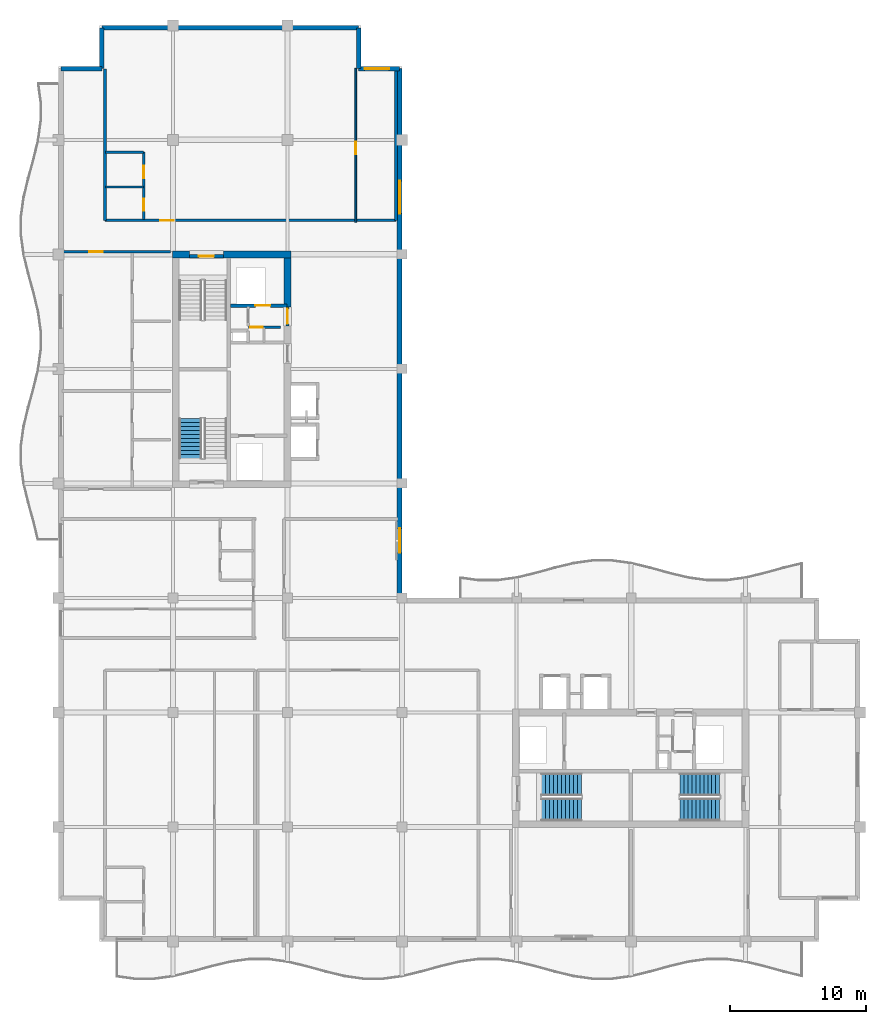
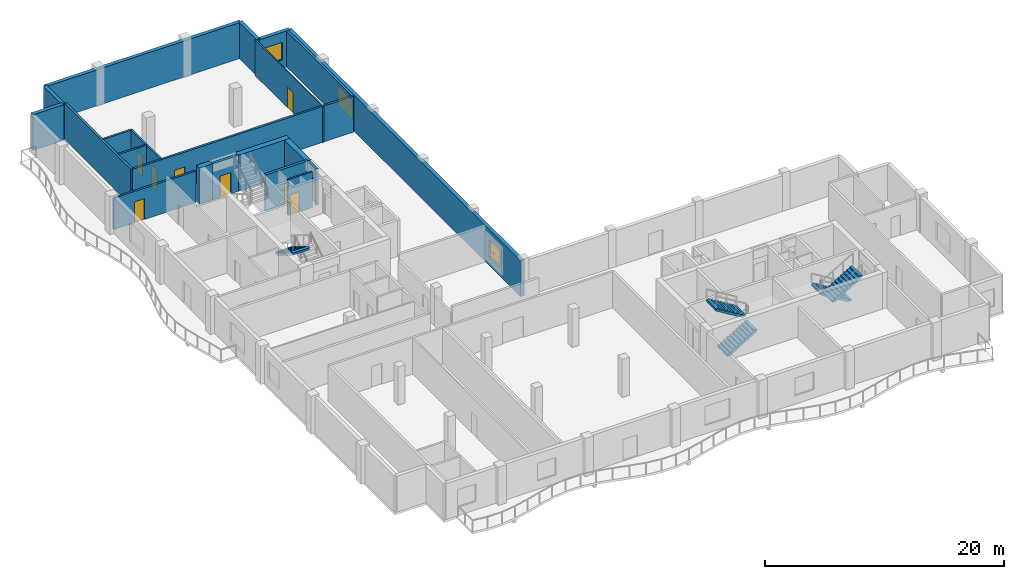
# One storey, part 7 of 11: 21 walls, 9 doors, 5 stair flights, 3 windows, 12 openings, 3 elements without a shape of their own.
"""IFC4 building model written with IfcOpenShell, lengths in metres."""

from ifc_helpers import new_model, si_unit, direction, frame, frame_2d, origin, place, context, subcontext, project, spatial, polyline, rectangle, outline, extrude, material, layer, layer_set, type_object, element, fill, aggregate, save


model = new_model("IFC4")

# Units and contexts
model_context = context("Model", 3, precision=1e-05, world=origin(), true_north=direction((0.0, 1.0)))
body_context = subcontext(model_context, "Body", "Model", "MODEL_VIEW")
ifc_project = project(units=[si_unit("LENGTHUNIT", "METRE"), si_unit("AREAUNIT", "SQUARE_METRE"), si_unit("VOLUMEUNIT", "CUBIC_METRE"), si_unit("PLANEANGLEUNIT", "RADIAN"), si_unit("MASSUNIT", "GRAM", prefix="KILO")], contexts=[model_context])

# Site, building, storey
site_placement = place(None, origin())
site = spatial("IfcSite", under=ifc_project, at=site_placement, CompositionType="ELEMENT")
building_placement = place(site_placement, origin())
building = spatial("IfcBuilding", under=site, at=building_placement, Name="Koriwani Terraces Tower", CompositionType="ELEMENT")
storey_placement = place(building_placement, frame((0.0, 0.0, 335.89990234375)))
storey = spatial("IfcBuildingStorey", under=building, at=storey_placement, Name="L83", CompositionType="ELEMENT", Elevation=335.89990234375)

# Walls
ifc_material_1 = material(Name="Concrete C50/60", Category="concrete")
ifc_layer_1 = layer(ifc_material_1, 0.5, Name="Concrete C50/60")
ifc_layer_set_1 = layer_set([ifc_layer_1], Name="Concrete C50/60")
wall_type_1 = type_object("IfcWallType", Name="WALL_CORE_RC_500", PredefinedType="SHEAR", material=ifc_layer_set_1)
wall_1_placement = place(storey_placement, frame((16.75, 58.800048828125, 0.0), z_axis=(0.0, 0.0, 1.0), x_axis=(1.0, 0.0, 0.0)))
element("IfcWall", 1, at=wall_1_placement, inside=storey, type_object=wall_type_1, Name="L83 West Split Core Shear Wall N1", PredefinedType="SHEAR", context=body_context, shape_type="SweptSolid", body=[
    extrude(rectangle(XDim=1.25, YDim=0.5, at=frame_2d((0.625, 0.0))), origin(), (0.0, 0.0, 1.0), 3.670166015625),
])
wall_2_placement = place(storey_placement, frame((20.5, 58.800048828125, 0.0), z_axis=(0.0, 0.0, 1.0), x_axis=(1.0, 0.0, 0.0)))
element("IfcWall", 2, at=wall_2_placement, inside=storey, type_object=wall_type_1, Name="L83 West Split Core Shear Wall N2", PredefinedType="SHEAR", context=body_context, shape_type="SweptSolid", body=[
    extrude(rectangle(XDim=4.949951171875, YDim=0.5, at=frame_2d((2.47509765625, 0.0))), origin(), (0.0, 0.0, 1.0), 3.670166015625),
])
wall_3_placement = place(storey_placement, frame((25.199951171875, 54.949951171875, 0.0), z_axis=(0.0, 0.0, 1.0), x_axis=(0.0, 1.0, 0.0)))
element("IfcWall", 3, at=wall_3_placement, inside=storey, type_object=wall_type_1, Name="L83 West Split Core Shear Wall E3", PredefinedType="SHEAR", context=body_context, shape_type="SweptSolid", body=[
    extrude(rectangle(XDim=3.60009765625, YDim=0.5, at=frame_2d((1.800048828125, 0.0))), origin(), (0.0, 0.0, 1.0), 3.670166015625),
])

# Wall, opening, door
ifc_material_2 = material(Name="Autoclaved Cellular Concrete Blockwork", Category="masonry")
ifc_layer_2 = layer(ifc_material_2, 0.199951171875, Name="Autoclaved Cellular Concrete Blockwork")
ifc_layer_set_2 = layer_set([ifc_layer_2], Name="Autoclaved Cellular Concrete Blockwork")
wall_type_2 = type_object("IfcWallType", Name="WALL_CORRIDOR_200", PredefinedType="PARTITIONING", material=ifc_layer_set_2)
wall_4_placement = place(storey_placement, frame((8.64990234375, 59.0, 0.0), z_axis=(0.0, 0.0, 1.0), x_axis=(1.0, 0.0, 0.0)))
wall_4 = element("IfcWall", 4, at=wall_4_placement, inside=storey, type_object=wall_type_2, Name="L83 Interior Wall WRZ4-WN-L83", PredefinedType="PARTITIONING", context=body_context, shape_type="SweptSolid", body=[
    extrude(rectangle(XDim=7.9501953125, YDim=0.199951171875, at=frame_2d((3.97509765625, 0.0))), origin(), (0.0, 0.0, 1.0), 3.20703125),
])
opening_1_placement = place(wall_4_placement, frame((2.0, 0.0, 0.0)))
opening_1 = element("IfcOpeningElement", 5, at=opening_1_placement, cuts=wall_4, Name="Opening D-05", PredefinedType="OPENING", context=body_context, shape_type="SweptSolid", body=[
    extrude(rectangle(XDim=1.0, YDim=2.14990234375, at=frame_2d((0.5, 1.074951171875))), frame((0.0, 0.10986328125, 0.0), z_axis=(0.0, -1.0, 0.0), x_axis=(1.0, 0.0, 0.0)), (0.0, 0.0, 1.0), 0.219970703125),
])
ifc_material_3 = material(Name="Architectural Oak Fire Door", Category="wood")
door_type_1 = type_object("IfcDoorType", Name="DOOR_SUITE_ENTRY_1000X2150", OperationType="NOTDEFINED", PredefinedType="DOOR", material=ifc_material_3)
door_1_placement = place(opening_1_placement, origin())
door_1 = element("IfcDoor", 6, at=door_1_placement, inside=storey, type_object=door_type_1, Name="Apartment 83RW2 Entrance Door", OperationType="SINGLE_SWING_LEFT", OverallHeight=2.14990234375, OverallWidth=1.0, PredefinedType="DOOR", context=body_context, shape_type="SweptSolid", body=[
    extrude(rectangle(XDim=1.0, YDim=2.14990234375, at=frame_2d((0.5, 1.074951171875))), frame((0.0, 0.02490234375, 0.0), z_axis=(0.0, -1.0, 0.0), x_axis=(1.0, 0.0, 0.0)), (0.0, 0.0, 1.0), 0.050048828125),
])
fill(opening_1, door_1)

wall_5_placement = place(storey_placement, frame((11.800048828125, 61.300048828125, 0.0), z_axis=(0.0, 0.0, 1.0), x_axis=(1.0, 0.0, 0.0)))
wall_5 = element("IfcWall", 7, at=wall_5_placement, inside=storey, type_object=wall_type_2, Name="L83 Interior Wall WGB-L83-NT-S", PredefinedType="PARTITIONING", context=body_context, shape_type="SweptSolid", body=[
    extrude(rectangle(XDim=21.349853515625, YDim=0.199951171875, at=frame_2d((10.6748046875, 0.0))), origin(), (0.0, 0.0, 1.0), 3.670166015625),
])
opening_2_placement = place(wall_5_placement, frame((4.050048828125, 0.0, 0.0)))
opening_2 = element("IfcOpeningElement", 8, at=opening_2_placement, cuts=wall_5, Name="Opening D-05", PredefinedType="OPENING", context=body_context, shape_type="SweptSolid", body=[
    extrude(rectangle(XDim=1.0, YDim=2.14990234375, at=frame_2d((0.5, 1.074951171875))), frame((0.0, 0.10986328125, 0.0), z_axis=(0.0, -1.0, 0.0), x_axis=(1.0, 0.0, 0.0)), (0.0, 0.0, 1.0), 0.219970703125),
])
door_2_placement = place(opening_2_placement, origin())
door_2 = element("IfcDoor", 9, at=door_2_placement, inside=storey, type_object=door_type_1, Name="Apartment 83NT Entrance Door", OperationType="SINGLE_SWING_LEFT", OverallHeight=2.14990234375, OverallWidth=1.0, PredefinedType="DOOR", context=body_context, shape_type="SweptSolid", body=[
    extrude(rectangle(XDim=1.0, YDim=2.14990234375, at=frame_2d((0.5, 1.074951171875))), frame((0.0, 0.02490234375, 0.0), z_axis=(0.0, -1.0, 0.0), x_axis=(1.0, 0.0, 0.0)), (0.0, 0.0, 1.0), 0.050048828125),
])
fill(opening_2, door_2)

# Walls
ifc_layer_3 = layer(ifc_material_2, 0.219970703125, Name="Autoclaved Cellular Concrete Blockwork")
ifc_layer_set_3 = layer_set([ifc_layer_3], Name="Autoclaved Cellular Concrete Blockwork")
wall_type_3 = type_object("IfcWallType", Name="WALL_DEMISING_220", PredefinedType="PARTITIONING", material=ifc_layer_set_3)
for number, where, z_axis, x_axis, name in (
    (10, (33.14990234375, 61.300048828125, 0.0), (0.0, 0.0, 1.0), (0.0, 1.0, 0.0), "L83 Interior Wall WGB-L83-NT-E"),
    (11, (11.800048828125, 61.300048828125, 0.0), (0.0, 0.0, 1.0), (0.0, 1.0, 0.0), "L83 Interior Wall WGB-L83-NT-W"),
):
    element("IfcWall", number, at=place(storey_placement, frame(where, z_axis=z_axis, x_axis=x_axis)), inside=storey, type_object=wall_type_3, Name=name, PredefinedType="PARTITIONING", context=body_context, shape_type="SweptSolid", body=[
        extrude(rectangle(XDim=11.099853515625, YDim=0.219970703125, at=frame_2d((5.5498046875, 0.0))), origin(), (0.0, 0.0, 1.0), 3.670166015625),
    ])
ifc_layer_4 = layer(ifc_material_1, 0.35009765625, Name="Concrete C50/60")
ifc_layer_set_4 = layer_set([ifc_layer_4], Name="Concrete C50/60")
wall_type_4 = type_object("IfcWallType", Name="WALL_EXT_BRUTALIST_350", PredefinedType="STANDARD", material=ifc_layer_set_4)
for number, where, z_axis, x_axis, name in (
    (12, (8.574951171875, 72.425048828125, 0.0), (0.0, 0.0, 1.0), (1.0, 0.0, 0.0), "L83 Fair-Faced Brutalist Exterior Wall (N3)"),
    (13, (11.574951171875, 72.425048828125, 0.0), (0.0, 0.0, 1.0), (0.0, 1.0, 0.0), "L83 Fair-Faced Brutalist Exterior Wall (N4)"),
):
    element("IfcWall", number, at=place(storey_placement, frame(where, z_axis=z_axis, x_axis=x_axis)), inside=storey, type_object=wall_type_4, Name=name, PredefinedType="STANDARD", context=body_context, shape_type="SweptSolid", body=[
        extrude(rectangle(XDim=3.0, YDim=0.35009765625, at=frame_2d((1.5, 0.0))), origin(), (0.0, 0.0, 1.0), 3.670166015625),
    ])
wall_6_placement = place(storey_placement, frame((11.574951171875, 75.425048828125, 0.0), z_axis=(0.0, 0.0, 1.0), x_axis=(1.0, 0.0, 0.0)))
element("IfcWall", 14, at=wall_6_placement, inside=storey, type_object=wall_type_4, Name="L83 Fair-Faced Brutalist Exterior Wall (N_TIP)", PredefinedType="STANDARD", context=body_context, shape_type="SweptSolid", body=[
    extrude(rectangle(XDim=18.85009765625, YDim=0.35009765625, at=frame_2d((9.425048828125, 0.0))), origin(), (0.0, 0.0, 1.0), 3.670166015625),
])
wall_7_placement = place(storey_placement, frame((30.425048828125, 75.425048828125, 0.0), z_axis=(0.0, 0.0, 1.0), x_axis=(0.0, -1.0, 0.0)))
element("IfcWall", 15, at=wall_7_placement, inside=storey, type_object=wall_type_4, Name="L83 Fair-Faced Brutalist Exterior Wall (N6)", PredefinedType="STANDARD", context=body_context, shape_type="SweptSolid", body=[
    extrude(rectangle(XDim=3.0, YDim=0.35009765625, at=frame_2d((1.5, 0.0))), origin(), (0.0, 0.0, 1.0), 3.670166015625),
])

# Wall, opening, window
wall_8_placement = place(storey_placement, frame((30.425048828125, 72.425048828125, 0.0), z_axis=(0.0, 0.0, 1.0), x_axis=(1.0, 0.0, 0.0)))
wall_8 = element("IfcWall", 16, at=wall_8_placement, inside=storey, type_object=wall_type_4, Name="L83 Fair-Faced Brutalist Exterior Wall (N7)", PredefinedType="STANDARD", context=body_context, shape_type="SweptSolid", body=[
    extrude(rectangle(XDim=3.0, YDim=0.35009765625, at=frame_2d((1.5, 0.0))), origin(), (0.0, 0.0, 1.0), 3.670166015625),
])
opening_3_placement = place(wall_8_placement, frame((0.4375, 0.0, 0.85009765625)))
opening_3 = element("IfcOpeningElement", 17, at=opening_3_placement, cuts=wall_8, Name="Opening W-04", PredefinedType="OPENING", context=body_context, shape_type="SweptSolid", body=[
    extrude(rectangle(XDim=1.800048828125, YDim=1.800048828125, at=frame_2d((0.89990234375, 0.89990234375))), frame((0.0, 0.18505859375, 0.0), z_axis=(0.0, -1.0, 0.0), x_axis=(1.0, 0.0, 0.0)), (0.0, 0.0, 1.0), 0.3701171875),
])
ifc_material_4 = material(Name="Tempered Laminated Low-E Glass", Category="glass")
window_type_1 = type_object("IfcWindowType", Name="WIN_RES_BED_1800X1800", PartitioningType="DOUBLE_PANEL_VERTICAL", PredefinedType="WINDOW", material=ifc_material_4)
window_1_placement = place(opening_3_placement, origin())
window_1 = element("IfcWindow", 18, at=window_1_placement, inside=storey, type_object=window_type_1, Name="L83 Exterior Window (N7-R42)", OverallHeight=1.800048828125, OverallWidth=1.800048828125, PartitioningType="SINGLE_PANEL", PredefinedType="WINDOW", context=body_context, shape_type="SweptSolid", body=[
    extrude(rectangle(XDim=1.800048828125, YDim=1.800048828125, at=frame_2d((0.89990234375, 0.89990234375))), frame((0.0, 0.030029296875, 0.0), z_axis=(0.0, -1.0, 0.0), x_axis=(1.0, 0.0, 0.0)), (0.0, 0.0, 1.0), 0.06005859375),
])
fill(opening_3, window_1)

# Wall, openings, windows
wall_9_placement = place(storey_placement, frame((33.425048828125, 72.425048828125, 0.0), z_axis=(0.0, 0.0, 1.0), x_axis=(0.0, -1.0, 0.0)))
wall_9 = element("IfcWall", 19, at=wall_9_placement, inside=storey, type_object=wall_type_4, Name="L83 Fair-Faced Brutalist Exterior Wall (NW_IN)", PredefinedType="STANDARD", context=body_context, shape_type="SweptSolid", body=[
    extrude(rectangle(XDim=39.0, YDim=0.35009765625, at=frame_2d((19.5, 0.0))), origin(), (0.0, 0.0, 1.0), 3.670166015625),
])
opening_4_placement = place(wall_9_placement, frame((33.72509765625, 0.0, 0.85009765625)))
opening_4 = element("IfcOpeningElement", 20, at=opening_4_placement, cuts=wall_9, Name="Opening W-04", PredefinedType="OPENING", context=body_context, shape_type="SweptSolid", body=[
    extrude(rectangle(XDim=1.800048828125, YDim=1.800048828125, at=frame_2d((0.89990234375, 0.89990234375))), frame((0.0, 0.18505859375, 0.0), z_axis=(0.0, -1.0, 0.0), x_axis=(1.0, 0.0, 0.0)), (0.0, 0.0, 1.0), 0.3701171875),
])
opening_5_placement = place(wall_9_placement, frame((8.22509765625, 0.0, 0.85009765625)))
opening_5 = element("IfcOpeningElement", 21, at=opening_5_placement, cuts=wall_9, Name="Opening W-03", PredefinedType="OPENING", context=body_context, shape_type="SweptSolid", body=[
    extrude(rectangle(XDim=2.39990234375, YDim=1.949951171875, at=frame_2d((1.199951171875, 0.97509765625))), frame((0.0, 0.18505859375, 0.0), z_axis=(0.0, -1.0, 0.0), x_axis=(1.0, 0.0, 0.0)), (0.0, 0.0, 1.0), 0.3701171875),
])
window_2_placement = place(opening_4_placement, origin())
window_2 = element("IfcWindow", 22, at=window_2_placement, inside=storey, type_object=window_type_1, Name="L83 Exterior Window (NW_IN-2)", OverallHeight=1.800048828125, OverallWidth=1.800048828125, PartitioningType="SINGLE_PANEL", PredefinedType="WINDOW", context=body_context, shape_type="SweptSolid", body=[
    extrude(rectangle(XDim=1.800048828125, YDim=1.800048828125, at=frame_2d((0.89990234375, 0.89990234375))), frame((0.0, 0.030029296875, 0.0), z_axis=(0.0, -1.0, 0.0), x_axis=(1.0, 0.0, 0.0)), (0.0, 0.0, 1.0), 0.06005859375),
])
fill(opening_4, window_2)
window_type_2 = type_object("IfcWindowType", Name="WIN_RES_LIVING_2400X1950", PartitioningType="DOUBLE_PANEL_VERTICAL", PredefinedType="WINDOW", material=ifc_material_4)
window_3_placement = place(opening_5_placement, origin())
window_3 = element("IfcWindow", 23, at=window_3_placement, inside=storey, type_object=window_type_2, Name="L83 Exterior Window (NW_IN-11)", OverallHeight=1.949951171875, OverallWidth=2.39990234375, PartitioningType="SINGLE_PANEL", PredefinedType="WINDOW", context=body_context, shape_type="SweptSolid", body=[
    extrude(rectangle(XDim=2.39990234375, YDim=1.949951171875, at=frame_2d((1.199951171875, 0.97509765625))), frame((0.0, 0.030029296875, 0.0), z_axis=(0.0, -1.0, 0.0), x_axis=(1.0, 0.0, 0.0)), (0.0, 0.0, 1.0), 0.06005859375),
])
fill(opening_5, window_3)

# Wall, opening, door
ifc_material_5 = material(Name="Fire-Rated Acoustic Gypsum Partition", Category="masonry")
ifc_layer_5 = layer(ifc_material_5, 0.125, Name="Fire-Rated Acoustic Gypsum Partition")
ifc_layer_set_5 = layer_set([ifc_layer_5], Name="Fire-Rated Acoustic Gypsum Partition")
wall_type_5 = type_object("IfcWallType", Name="WALL_INT_125", PredefinedType="PARTITIONING", material=ifc_layer_set_5)
wall_10_placement = place(storey_placement, frame((30.199951171875, 61.14990234375, 0.0), z_axis=(0.0, 0.0, 1.0), x_axis=(0.0, 1.0, 0.0)))
wall_10 = element("IfcWall", 24, at=wall_10_placement, inside=storey, type_object=wall_type_5, Name="L83 Interior Wall WGB-L83-NT-BD", PredefinedType="PARTITIONING", context=body_context, shape_type="SweptSolid", body=[
    extrude(rectangle(XDim=11.300048828125, YDim=0.125, at=frame_2d((5.64990234375, 0.0))), origin(), (0.0, 0.0, 1.0), 3.670166015625),
])
opening_6_placement = place(wall_10_placement, frame((4.9951171875, 0.0, 0.0)))
opening_6 = element("IfcOpeningElement", 25, at=opening_6_placement, cuts=wall_10, Name="Opening D-06", PredefinedType="OPENING", context=body_context, shape_type="SweptSolid", body=[
    extrude(rectangle(XDim=0.919921875, YDim=2.10009765625, at=frame_2d((0.4599609375, 1.050048828125))), frame((0.0, 0.072509765625, 0.0), z_axis=(0.0, -1.0, 0.0), x_axis=(1.0, 0.0, 0.0)), (0.0, 0.0, 1.0), 0.14501953125),
])
door_type_2 = type_object("IfcDoorType", Name="DOOR_ROOM_INT_920X2100", OperationType="NOTDEFINED", PredefinedType="DOOR", material=ifc_material_3)
door_3_placement = place(opening_6_placement, origin())
door_3 = element("IfcDoor", 26, at=door_3_placement, inside=storey, type_object=door_type_2, Name="Apartment 83NT Master Suite Door", OperationType="SINGLE_SWING_RIGHT", OverallHeight=2.10009765625, OverallWidth=0.919921875, PredefinedType="DOOR", context=body_context, shape_type="SweptSolid", body=[
    extrude(rectangle(XDim=0.919921875, YDim=2.10009765625, at=frame_2d((0.4599609375, 1.050048828125))), frame((0.0, 0.02490234375, 0.0), z_axis=(0.0, -1.0, 0.0), x_axis=(1.0, 0.0, 0.0)), (0.0, 0.0, 1.0), 0.050048828125),
])
fill(opening_6, door_3)

# Wall, openings, doors
ifc_layer_6 = layer(ifc_material_5, 0.179931640625, Name="Fire-Rated Acoustic Gypsum Partition")
ifc_layer_set_6 = layer_set([ifc_layer_6], Name="Fire-Rated Acoustic Gypsum Partition")
wall_type_6 = type_object("IfcWallType", Name="WALL_PLUMBING_180", PredefinedType="PLUMBINGWALL", material=ifc_layer_set_6)
wall_11_placement = place(storey_placement, frame((14.64990234375, 61.35009765625, 0.0), z_axis=(0.0, 0.0, 1.0), x_axis=(0.0, 1.0, 0.0)))
wall_11 = element("IfcWall", 27, at=wall_11_placement, inside=storey, type_object=wall_type_6, Name="L83 Interior Wall WGB-L83-NT-SVB", PredefinedType="PLUMBINGWALL", context=body_context, shape_type="SweptSolid", body=[
    extrude(rectangle(XDim=4.949951171875, YDim=0.179931640625, at=frame_2d((2.47509765625, 0.0))), origin(), (0.0, 0.0, 1.0), 3.670166015625),
])
opening_7_placement = place(wall_11_placement, frame((0.64990234375, 0.0, 0.0)))
opening_7 = element("IfcOpeningElement", 28, at=opening_7_placement, cuts=wall_11, Name="Opening D-07", PredefinedType="OPENING", context=body_context, shape_type="SweptSolid", body=[
    extrude(rectangle(XDim=0.89990234375, YDim=2.10009765625, at=frame_2d((0.449951171875, 1.050048828125))), frame((0.0, 0.10009765625, 0.0), z_axis=(0.0, -1.0, 0.0), x_axis=(1.0, 0.0, 0.0)), (0.0, 0.0, 1.0), 0.199951171875),
])
opening_8_placement = place(wall_11_placement, frame((3.050048828125, 0.0, 0.0)))
opening_8 = element("IfcOpeningElement", 29, at=opening_8_placement, cuts=wall_11, Name="Opening D-06", PredefinedType="OPENING", context=body_context, shape_type="SweptSolid", body=[
    extrude(rectangle(XDim=0.919921875, YDim=2.10009765625, at=frame_2d((0.4599609375, 1.050048828125))), frame((0.0, 0.10009765625, 0.0), z_axis=(0.0, -1.0, 0.0), x_axis=(1.0, 0.0, 0.0)), (0.0, 0.0, 1.0), 0.199951171875),
])
door_type_3 = type_object("IfcDoorType", Name="DOOR_BATH_INT_900X2100", OperationType="NOTDEFINED", PredefinedType="DOOR", material=ifc_material_3)
door_4_placement = place(opening_7_placement, origin())
door_4 = element("IfcDoor", 30, at=door_4_placement, inside=storey, type_object=door_type_3, Name="Apartment 83NT Bathroom Door", OperationType="SINGLE_SWING_RIGHT", OverallHeight=2.10009765625, OverallWidth=0.89990234375, PredefinedType="DOOR", context=body_context, shape_type="SweptSolid", body=[
    extrude(rectangle(XDim=0.89990234375, YDim=2.10009765625, at=frame_2d((0.449951171875, 1.050048828125))), frame((0.0, 0.02490234375, 0.0), z_axis=(0.0, -1.0, 0.0), x_axis=(1.0, 0.0, 0.0)), (0.0, 0.0, 1.0), 0.050048828125),
])
fill(opening_7, door_4)
door_5_placement = place(opening_8_placement, origin())
door_5 = element("IfcDoor", 31, at=door_5_placement, inside=storey, type_object=door_type_2, Name="Apartment 83NT Kitchen Door", OperationType="SINGLE_SWING_LEFT", OverallHeight=2.10009765625, OverallWidth=0.919921875, PredefinedType="DOOR", context=body_context, shape_type="SweptSolid", body=[
    extrude(rectangle(XDim=0.919921875, YDim=2.10009765625, at=frame_2d((0.4599609375, 1.050048828125))), frame((0.0, 0.02490234375, 0.0), z_axis=(0.0, -1.0, 0.0), x_axis=(1.0, 0.0, 0.0)), (0.0, 0.0, 1.0), 0.050048828125),
])
fill(opening_8, door_5)

# Walls
for number, where, z_axis, x_axis, name in (
    (32, (11.85009765625, 63.75, 0.0), (0.0, 0.0, 1.0), (1.0, 0.0, 0.0), "L83 Interior Wall WGB-L83-NT-SVM"),
    (33, (11.85009765625, 66.300048828125, 0.0), (0.0, 0.0, 1.0), (1.0, 0.0, 0.0), "L83 Interior Wall WGB-L83-NT-SV2"),
):
    element("IfcWall", number, at=place(storey_placement, frame(where, z_axis=z_axis, x_axis=x_axis)), inside=storey, type_object=wall_type_6, Name=name, PredefinedType="PLUMBINGWALL", context=body_context, shape_type="SweptSolid", body=[
        extrude(rectangle(XDim=2.7998046875, YDim=0.179931640625, at=frame_2d((1.39990234375, 0.0))), origin(), (0.0, 0.0, 1.0), 3.670166015625),
    ])

# Wall, opening, door
ifc_material_6 = material(Name="Concrete C40/50", Category="concrete")
ifc_layer_7 = layer(ifc_material_6, 0.25, Name="Concrete C40/50")
ifc_layer_set_7 = layer_set([ifc_layer_7], Name="Concrete C40/50")
wall_type_7 = type_object("IfcWallType", Name="WALL_SHAFT_RATED_250", PredefinedType="SOLIDWALL", material=ifc_layer_set_7)
wall_12_placement = place(storey_placement, frame((18.0, 58.675048828125, 0.0), z_axis=(0.0, 0.0, 1.0), x_axis=(1.0, 0.0, 0.0)))
wall_12 = element("IfcWall", 34, at=wall_12_placement, inside=storey, type_object=wall_type_7, Name="L83 Interior Wall WIN-CW-L83-STN", PredefinedType="SOLIDWALL", context=body_context, shape_type="SweptSolid", body=[
    extrude(rectangle(XDim=2.5, YDim=0.25, at=frame_2d((1.25, 0.0))), origin(), (0.0, 0.0, 1.0), 3.670166015625),
])
opening_9_placement = place(wall_12_placement, frame((0.699951171875, 0.0, 0.0)))
opening_9 = element("IfcOpeningElement", 35, at=opening_9_placement, cuts=wall_12, Name="Opening D-03", PredefinedType="OPENING", context=body_context, shape_type="SweptSolid", body=[
    extrude(rectangle(XDim=1.10009765625, YDim=2.14990234375, at=frame_2d((0.550048828125, 1.074951171875))), frame((0.0, 0.135009765625, 0.0), z_axis=(0.0, -1.0, 0.0), x_axis=(1.0, 0.0, 0.0)), (0.0, 0.0, 1.0), 0.27001953125),
])
ifc_material_7 = material(Name="Steel ASTM A572 Grade 50", Category="steel")
door_type_4 = type_object("IfcDoorType", Name="DOOR_STAIR_FIRE_1100X2150", OperationType="NOTDEFINED", PredefinedType="DOOR", material=ifc_material_7)
door_6_placement = place(opening_9_placement, origin())
door_6 = element("IfcDoor", 36, at=door_6_placement, inside=storey, type_object=door_type_4, Name="L83 Exit Stair ST-W2 Door", OperationType="SINGLE_SWING_RIGHT", OverallHeight=2.14990234375, OverallWidth=1.10009765625, PredefinedType="DOOR", context=body_context, shape_type="SweptSolid", body=[
    extrude(rectangle(XDim=1.10009765625, YDim=2.14990234375, at=frame_2d((0.550048828125, 1.074951171875))), frame((0.0, 0.02490234375, 0.0), z_axis=(0.0, -1.0, 0.0), x_axis=(1.0, 0.0, 0.0)), (0.0, 0.0, 1.0), 0.050048828125),
])
fill(opening_9, door_6)

wall_13_placement = place(storey_placement, frame((21.0, 55.050048828125, 0.0), z_axis=(0.0, 0.0, 1.0), x_axis=(1.0, 0.0, 0.0)))
wall_13 = element("IfcWall", 37, at=wall_13_placement, inside=storey, type_object=wall_type_7, Name="L83 Interior Wall WIN-CW-L83-SE", PredefinedType="SOLIDWALL", context=body_context, shape_type="SweptSolid", body=[
    extrude(rectangle(XDim=4.14990234375, YDim=0.25, at=frame_2d((2.074951171875, 0.0))), origin(), (0.0, 0.0, 1.0), 3.670166015625),
])
opening_10_placement = place(wall_13_placement, frame((1.85009765625, 0.0, 0.0)))
opening_10 = element("IfcOpeningElement", 38, at=opening_10_placement, cuts=wall_13, Name="Opening LD-01", PredefinedType="OPENING", context=body_context, shape_type="SweptSolid", body=[
    extrude(rectangle(XDim=1.10009765625, YDim=2.14990234375, at=frame_2d((0.550048828125, 1.074951171875))), frame((0.0, 0.135009765625, 0.0), z_axis=(0.0, -1.0, 0.0), x_axis=(1.0, 0.0, 0.0)), (0.0, 0.0, 1.0), 0.27001953125),
])
door_type_5 = type_object("IfcDoorType", Name="DOOR_LIFT_LANDING_1100X2200", OperationType="NOTDEFINED", PredefinedType="DOOR", material=ifc_material_7)
door_7_placement = place(opening_10_placement, origin())
door_7 = element("IfcDoor", 39, at=door_7_placement, inside=storey, type_object=door_type_5, Name="L83 Goods Lift SE-01 Landing Door", OperationType="SLIDING_TO_LEFT", OverallHeight=2.14990234375, OverallWidth=1.10009765625, PredefinedType="DOOR", context=body_context, shape_type="SweptSolid", body=[
    extrude(rectangle(XDim=1.10009765625, YDim=2.14990234375, at=frame_2d((0.550048828125, 1.074951171875))), frame((0.0, 0.02490234375, 0.0), z_axis=(0.0, -1.0, 0.0), x_axis=(1.0, 0.0, 0.0)), (0.0, 0.0, 1.0), 0.050048828125),
])
fill(opening_10, door_7)

wall_14_placement = place(storey_placement, frame((25.199951171875, 53.550048828125, 0.0), z_axis=(0.0, 0.0, 1.0), x_axis=(0.0, 1.0, 0.0)))
wall_14 = element("IfcWall", 40, at=wall_14_placement, inside=storey, type_object=wall_type_7, Name="L83 Interior Wall WIN-CW-L83-EP2", PredefinedType="SOLIDWALL", context=body_context, shape_type="SweptSolid", body=[
    extrude(rectangle(XDim=1.39990234375, YDim=0.25, at=frame_2d((0.699951171875, 0.0))), origin(), (0.0, 0.0, 1.0), 3.670166015625),
])
opening_11_placement = place(wall_14_placement, frame((0.14990234375, 0.0, 0.0)))
opening_11 = element("IfcOpeningElement", 41, at=opening_11_placement, cuts=wall_14, Name="Opening D-03", PredefinedType="OPENING", context=body_context, shape_type="SweptSolid", body=[
    extrude(rectangle(XDim=1.10009765625, YDim=2.14990234375, at=frame_2d((0.550048828125, 1.074951171875))), frame((0.0, 0.135009765625, 0.0), z_axis=(0.0, -1.0, 0.0), x_axis=(1.0, 0.0, 0.0)), (0.0, 0.0, 1.0), 0.27001953125),
])
door_8_placement = place(opening_11_placement, origin())
door_8 = element("IfcDoor", 42, at=door_8_placement, inside=storey, type_object=door_type_4, Name="L83 West Goods Lift Lobby Door", OperationType="SINGLE_SWING_RIGHT", OverallHeight=2.14990234375, OverallWidth=1.10009765625, PredefinedType="DOOR", context=body_context, shape_type="SweptSolid", body=[
    extrude(rectangle(XDim=1.10009765625, YDim=2.14990234375, at=frame_2d((0.550048828125, 1.074951171875))), frame((0.0, 0.02490234375, 0.0), z_axis=(0.0, -1.0, 0.0), x_axis=(1.0, 0.0, 0.0)), (0.0, 0.0, 1.0), 0.050048828125),
])
fill(opening_11, door_8)

ifc_layer_8 = layer(ifc_material_5, 0.159912109375, Name="Fire-Rated Acoustic Gypsum Partition")
ifc_layer_set_8 = layer_set([ifc_layer_8], Name="Fire-Rated Acoustic Gypsum Partition")
wall_type_8 = type_object("IfcWallType", Name="WALL_SUITE_160", PredefinedType="PARTITIONING", material=ifc_layer_set_8)
wall_15_placement = place(storey_placement, frame((22.320068359375, 53.4599609375, 0.0), z_axis=(0.0, 0.0, 1.0), x_axis=(1.0, 0.0, 0.0)))
wall_15 = element("IfcWall", 43, at=wall_15_placement, inside=storey, type_object=wall_type_8, Name="L83 Interior Wall WIN-CW-L83-SV2H", PredefinedType="PARTITIONING", context=body_context, shape_type="SweptSolid", body=[
    extrude(rectangle(XDim=2.35986328125, YDim=0.159912109375, at=frame_2d((1.179931640625, 0.0))), origin(), (0.0, 0.0, 1.0), 3.670166015625),
])
opening_12_placement = place(wall_15_placement, frame((0.159912109375, 0.0, 0.0)))
opening_12 = element("IfcOpeningElement", 44, at=opening_12_placement, cuts=wall_15, Name="Opening D-07", PredefinedType="OPENING", context=body_context, shape_type="SweptSolid", body=[
    extrude(rectangle(XDim=0.89990234375, YDim=2.10009765625, at=frame_2d((0.449951171875, 1.050048828125))), frame((0.0, 0.08984375, 0.0), z_axis=(0.0, -1.0, 0.0), x_axis=(1.0, 0.0, 0.0)), (0.0, 0.0, 1.0), 0.179931640625),
])
door_9_placement = place(opening_12_placement, origin())
door_9 = element("IfcDoor", 45, at=door_9_placement, inside=storey, type_object=door_type_3, Name="L83 West Valve Room Door", OperationType="SINGLE_SWING_RIGHT", OverallHeight=2.10009765625, OverallWidth=0.89990234375, PredefinedType="DOOR", context=body_context, shape_type="SweptSolid", body=[
    extrude(rectangle(XDim=0.89990234375, YDim=2.10009765625, at=frame_2d((0.449951171875, 1.050048828125))), frame((0.0, 0.02490234375, 0.0), z_axis=(0.0, -1.0, 0.0), x_axis=(1.0, 0.0, 0.0)), (0.0, 0.0, 1.0), 0.050048828125),
])
fill(opening_12, door_9)

# Stair, stair flight
stair_type = type_object("IfcStairType", Name="STAIR_CORE_DOGLEG_1650", PredefinedType="TWO_STRAIGHT_RUN_STAIR", material=ifc_material_6)
stair_1_placement = place(storey_placement, origin())
stair_1 = element("IfcStair", 46, at=stair_1_placement, inside=storey, type_object=stair_type, Name="L83 West Core Exit Stair 1", PredefinedType="HALF_TURN_STAIR")
stair_flight_type = type_object("IfcStairFlightType", Name="STAIR_FLIGHT_RC_1650", PredefinedType="STRAIGHT", material=ifc_material_6)
stair_flight_1_placement = place(storey_placement, frame((18.074951171875, 46.75, 1.9501953125), z_axis=(0.0, 0.0, 1.0), x_axis=(0.0, -1.0, 0.0)))
stair_flight_1 = element("IfcStairFlight", 47, at=stair_flight_1_placement, type_object=stair_flight_type, Name="ST-W1 flight 2", NumberOfRisers=11, NumberOfTreads=10, PredefinedType="STRAIGHT", RiserHeight=0.177272727, TreadLength=0.29, context=body_context, shape_type="SweptSolid", body=[
    extrude(outline(polyline([(0.0, 0.0), (0.0, 0.17724609375), (0.2900390625, 0.17724609375), (0.2900390625, 0.3544921875), (0.580078125, 0.3544921875), (0.580078125, 0.53173828125), (0.8701171875, 0.53173828125), (0.8701171875, 0.708984375), (1.159912109375, 0.708984375), (1.159912109375, 0.886474609375), (1.449951171875, 0.886474609375), (1.449951171875, 1.063720703125), (1.739990234375, 1.063720703125), (1.739990234375, 1.240966796875), (2.030029296875, 1.240966796875), (2.030029296875, 1.418212890625), (2.320068359375, 1.418212890625), (2.320068359375, 1.595458984375), (2.610107421875, 1.595458984375), (2.610107421875, 1.772705078125), (2.89990234375, 1.772705078125), (2.89990234375, 1.949951171875), (2.89990234375, 1.561767578125), (0.344970703125, 0.0), (0.0, 0.0)])), frame((0.0, 0.824951171875, 0.0), z_axis=(0.0, -1.0, 0.0), x_axis=(1.0, 0.0, 0.0)), (0.0, 0.0, 1.0), 1.64990234375),
])
aggregate(stair_1, [stair_flight_1])

# Stair, stair flights
stair_2_placement = place(storey_placement, origin())
stair_2 = element("IfcStair", 48, at=stair_2_placement, inside=storey, type_object=stair_type, Name="L83 East Core Exit Stair 1", PredefinedType="HALF_TURN_STAIR")
stair_flight_2_placement = place(storey_placement, frame((43.85009765625, 18.074951171875, 0.0), z_axis=(0.0, 0.0, 1.0), x_axis=(1.0, 0.0, 0.0)))
stair_flight_2 = element("IfcStairFlight", 49, at=stair_flight_2_placement, type_object=stair_flight_type, Name="ST-E1 flight 1", NumberOfRisers=11, NumberOfTreads=10, PredefinedType="STRAIGHT", RiserHeight=0.177272727, TreadLength=0.29, context=body_context, shape_type="SweptSolid", body=[
    extrude(outline(polyline([(0.0, 0.0), (0.0, 0.17724609375), (0.2900390625, 0.17724609375), (0.2900390625, 0.3544921875), (0.580078125, 0.3544921875), (0.580078125, 0.53173828125), (0.8701171875, 0.53173828125), (0.8701171875, 0.708984375), (1.159912109375, 0.708984375), (1.159912109375, 0.886474609375), (1.449951171875, 0.886474609375), (1.449951171875, 1.063720703125), (1.739990234375, 1.063720703125), (1.739990234375, 1.240966796875), (2.030029296875, 1.240966796875), (2.030029296875, 1.418212890625), (2.320068359375, 1.418212890625), (2.320068359375, 1.595458984375), (2.610107421875, 1.595458984375), (2.610107421875, 1.772705078125), (2.89990234375, 1.772705078125), (2.89990234375, 1.949951171875), (2.89990234375, 1.561767578125), (0.344970703125, 0.0), (0.0, 0.0)])), frame((0.0, 0.824951171875, 0.0), z_axis=(0.0, -1.0, 0.0), x_axis=(1.0, 0.0, 0.0)), (0.0, 0.0, 1.0), 1.64990234375),
])
stair_flight_3_placement = place(storey_placement, frame((46.75, 19.925048828125, 1.9501953125), z_axis=(0.0, 0.0, 1.0), x_axis=(-1.0, 0.0, 0.0)))
stair_flight_3 = element("IfcStairFlight", 50, at=stair_flight_3_placement, type_object=stair_flight_type, Name="ST-E1 flight 2", NumberOfRisers=11, NumberOfTreads=10, PredefinedType="STRAIGHT", RiserHeight=0.177272727, TreadLength=0.29, context=body_context, shape_type="SweptSolid", body=[
    extrude(outline(polyline([(0.0, 0.0), (0.0, 0.17724609375), (0.2900390625, 0.17724609375), (0.2900390625, 0.3544921875), (0.580078125, 0.3544921875), (0.580078125, 0.53173828125), (0.8701171875, 0.53173828125), (0.8701171875, 0.708984375), (1.159912109375, 0.708984375), (1.159912109375, 0.886474609375), (1.449951171875, 0.886474609375), (1.449951171875, 1.063720703125), (1.739990234375, 1.063720703125), (1.739990234375, 1.240966796875), (2.030029296875, 1.240966796875), (2.030029296875, 1.418212890625), (2.320068359375, 1.418212890625), (2.320068359375, 1.595458984375), (2.610107421875, 1.595458984375), (2.610107421875, 1.772705078125), (2.89990234375, 1.772705078125), (2.89990234375, 1.949951171875), (2.89990234375, 1.561767578125), (0.344970703125, 0.0), (0.0, 0.0)])), frame((0.0, 0.824951171875, 0.0), z_axis=(0.0, -1.0, 0.0), x_axis=(1.0, 0.0, 0.0)), (0.0, 0.0, 1.0), 1.64990234375),
])
aggregate(stair_2, [stair_flight_2, stair_flight_3])

stair_3_placement = place(storey_placement, origin())
stair_3 = element("IfcStair", 51, at=stair_3_placement, inside=storey, type_object=stair_type, Name="L83 East Core Exit Stair 2", PredefinedType="HALF_TURN_STAIR")
stair_flight_4_placement = place(storey_placement, frame((56.89990234375, 19.925048828125, 0.0), z_axis=(0.0, 0.0, 1.0), x_axis=(-1.0, 0.0, 0.0)))
stair_flight_4 = element("IfcStairFlight", 52, at=stair_flight_4_placement, type_object=stair_flight_type, Name="ST-E2 flight 1", NumberOfRisers=11, NumberOfTreads=10, PredefinedType="STRAIGHT", RiserHeight=0.177272727, TreadLength=0.29, context=body_context, shape_type="SweptSolid", body=[
    extrude(outline(polyline([(0.0, 0.0), (0.0, 0.17724609375), (0.2900390625, 0.17724609375), (0.2900390625, 0.3544921875), (0.580078125, 0.3544921875), (0.580078125, 0.53173828125), (0.8701171875, 0.53173828125), (0.8701171875, 0.708984375), (1.159912109375, 0.708984375), (1.159912109375, 0.886474609375), (1.449951171875, 0.886474609375), (1.449951171875, 1.063720703125), (1.739990234375, 1.063720703125), (1.739990234375, 1.240966796875), (2.030029296875, 1.240966796875), (2.030029296875, 1.418212890625), (2.320068359375, 1.418212890625), (2.320068359375, 1.595458984375), (2.610107421875, 1.595458984375), (2.610107421875, 1.772705078125), (2.89990234375, 1.772705078125), (2.89990234375, 1.949951171875), (2.89990234375, 1.561767578125), (0.344970703125, 0.0), (0.0, 0.0)])), frame((0.0, 0.824951171875, 0.0), z_axis=(0.0, -1.0, 0.0), x_axis=(1.0, 0.0, 0.0)), (0.0, 0.0, 1.0), 1.64990234375),
])
stair_flight_5_placement = place(storey_placement, frame((54.0, 18.074951171875, 1.9501953125), z_axis=(0.0, 0.0, 1.0), x_axis=(1.0, 0.0, 0.0)))
stair_flight_5 = element("IfcStairFlight", 53, at=stair_flight_5_placement, type_object=stair_flight_type, Name="ST-E2 flight 2", NumberOfRisers=11, NumberOfTreads=10, PredefinedType="STRAIGHT", RiserHeight=0.177272727, TreadLength=0.29, context=body_context, shape_type="SweptSolid", body=[
    extrude(outline(polyline([(0.0, 0.0), (0.0, 0.17724609375), (0.2900390625, 0.17724609375), (0.2900390625, 0.3544921875), (0.580078125, 0.3544921875), (0.580078125, 0.53173828125), (0.8701171875, 0.53173828125), (0.8701171875, 0.708984375), (1.159912109375, 0.708984375), (1.159912109375, 0.886474609375), (1.449951171875, 0.886474609375), (1.449951171875, 1.063720703125), (1.739990234375, 1.063720703125), (1.739990234375, 1.240966796875), (2.030029296875, 1.240966796875), (2.030029296875, 1.418212890625), (2.320068359375, 1.418212890625), (2.320068359375, 1.595458984375), (2.610107421875, 1.595458984375), (2.610107421875, 1.772705078125), (2.89990234375, 1.772705078125), (2.89990234375, 1.949951171875), (2.89990234375, 1.561767578125), (0.344970703125, 0.0), (0.0, 0.0)])), frame((0.0, 0.824951171875, 0.0), z_axis=(0.0, -1.0, 0.0), x_axis=(1.0, 0.0, 0.0)), (0.0, 0.0, 1.0), 1.64990234375),
])
aggregate(stair_3, [stair_flight_4, stair_flight_5])

save(model, "model.ifc")
